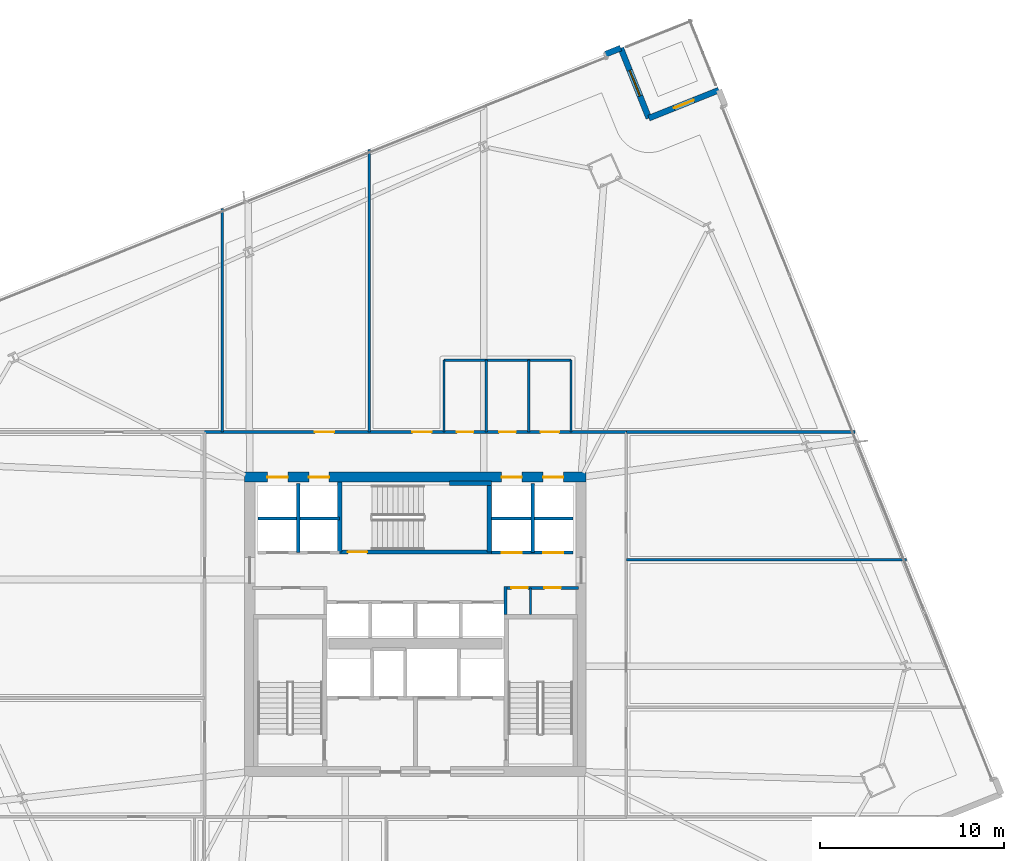
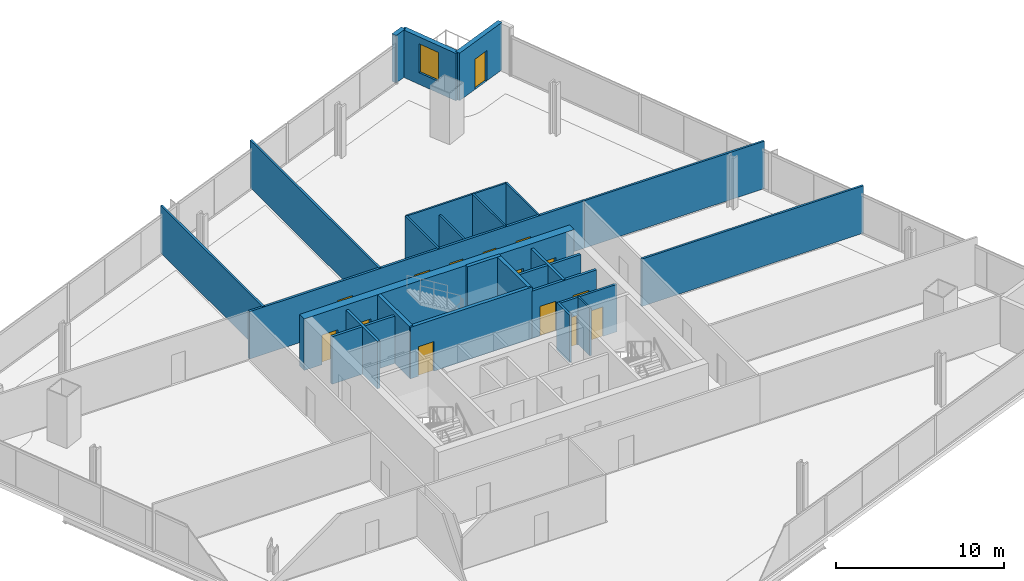
# One storey, part 26 of 33: 26 walls, 15 doors, 1 window, 16 openings.
"""IFC4 building model written with IfcOpenShell, lengths in metres."""

from ifc_helpers import new_model, si_unit, direction, frame, frame_2d, origin, place, context, subcontext, project, spatial, rectangle, extrude, material, layer, layer_set, type_object, element, fill, save


model = new_model("IFC4")

# Units and contexts
model_context = context("Model", 3, precision=1e-05, world=origin(), true_north=direction((0.0, 1.0)))
body_context = subcontext(model_context, "Body", "Model", "MODEL_VIEW")
ifc_project = project(units=[si_unit("LENGTHUNIT", "METRE"), si_unit("AREAUNIT", "SQUARE_METRE"), si_unit("VOLUMEUNIT", "CUBIC_METRE"), si_unit("PLANEANGLEUNIT", "RADIAN"), si_unit("MASSUNIT", "GRAM", prefix="KILO")], contexts=[model_context])

# Site, building, storey
site_placement = place(None, origin())
site = spatial("IfcSite", under=ifc_project, at=site_placement, CompositionType="ELEMENT")
building_placement = place(site_placement, origin())
building = spatial("IfcBuilding", under=site, at=building_placement, Name="Haldenkirk Collegiate Tower", CompositionType="ELEMENT")
storey_placement = place(building_placement, frame((0.0, 0.0, 101.699951171875)))
storey = spatial("IfcBuildingStorey", under=building, at=storey_placement, Name="L24", CompositionType="ELEMENT", Elevation=101.699951171875)

# Wall, openings, doors
ifc_material_1 = material(Name="Concrete f'c 70 MPa", Category="concrete")
ifc_layer_1 = layer(ifc_material_1, 0.550048828125)
ifc_layer_set_1 = layer_set([ifc_layer_1], Name="Concrete f'c 70 MPa")
wall_type_1 = type_object("IfcWallType", Name="WL-CORE-550", PredefinedType="SHEAR", material=ifc_layer_set_1)
wall_1_placement = place(storey_placement, frame((26.72509765625, 34.0, 0.0), z_axis=(0.0, 0.0, 1.0), x_axis=(1.0, 0.0, 0.0)))
wall_1 = element("IfcWall", 1, at=wall_1_placement, inside=storey, type_object=wall_type_1, Name="L24 central core shear wall N", PredefinedType="SHEAR", context=body_context, shape_type="SweptSolid", body=[
    extrude(rectangle(XDim=18.5498046875, YDim=0.550048828125, at=frame_2d((9.27490234375, 0.0))), origin(), (0.0, 0.0, 1.0), 3.75),
])
opening_1_placement = place(wall_1_placement, frame((1.239990234375, 0.0, 0.0)))
opening_1 = element("IfcOpeningElement", 2, at=opening_1_placement, cuts=wall_1, Name="Opening LD-11", PredefinedType="OPENING", context=body_context, shape_type="SweptSolid", body=[
    extrude(rectangle(XDim=1.10009765625, YDim=2.14990234375, at=frame_2d((0.550048828125, 1.074951171875))), frame((0.0, 0.284912109375, 0.0), z_axis=(0.0, -1.0, 0.0), x_axis=(1.0, 0.0, 0.0)), (0.0, 0.0, 1.0), 0.570068359375),
])
opening_2_placement = place(wall_1_placement, frame((3.489990234375, 0.0, 0.0)))
opening_2 = element("IfcOpeningElement", 3, at=opening_2_placement, cuts=wall_1, Name="Opening LD-11", PredefinedType="OPENING", context=body_context, shape_type="SweptSolid", body=[
    extrude(rectangle(XDim=1.10009765625, YDim=2.14990234375, at=frame_2d((0.550048828125, 1.074951171875))), frame((0.0, 0.284912109375, 0.0), z_axis=(0.0, -1.0, 0.0), x_axis=(1.0, 0.0, 0.0)), (0.0, 0.0, 1.0), 0.570068359375),
])
opening_3_placement = place(wall_1_placement, frame((13.9599609375, 0.0, 0.0)))
opening_3 = element("IfcOpeningElement", 4, at=opening_3_placement, cuts=wall_1, Name="Opening LD-11", PredefinedType="OPENING", context=body_context, shape_type="SweptSolid", body=[
    extrude(rectangle(XDim=1.10009765625, YDim=2.14990234375, at=frame_2d((0.550048828125, 1.074951171875))), frame((0.0, 0.284912109375, 0.0), z_axis=(0.0, -1.0, 0.0), x_axis=(1.0, 0.0, 0.0)), (0.0, 0.0, 1.0), 0.570068359375),
])
opening_4_placement = place(wall_1_placement, frame((16.2099609375, 0.0, 0.0)))
opening_4 = element("IfcOpeningElement", 5, at=opening_4_placement, cuts=wall_1, Name="Opening LD-11", PredefinedType="OPENING", context=body_context, shape_type="SweptSolid", body=[
    extrude(rectangle(XDim=1.10009765625, YDim=2.14990234375, at=frame_2d((0.550048828125, 1.074951171875))), frame((0.0, 0.284912109375, 0.0), z_axis=(0.0, -1.0, 0.0), x_axis=(1.0, 0.0, 0.0)), (0.0, 0.0, 1.0), 0.570068359375),
])
ifc_material_2 = material(Name="Brushed architectural stainless steel", Category="steel")
ifc_layer_2 = layer(ifc_material_2, 0.06005859375)
ifc_layer_set_2 = layer_set([ifc_layer_2], Name="Brushed architectural stainless steel")
door_type_1 = type_object("IfcDoorType", Name="LD-PASS-1100", OperationType="NOTDEFINED", PredefinedType="DOOR", material=ifc_layer_set_2)
door_1_placement = place(opening_1_placement, origin())
door_1 = element("IfcDoor", 6, at=door_1_placement, inside=storey, type_object=door_type_1, Name="L24 Elevator PL3 sliding landing door", OperationType="SLIDING_TO_LEFT", OverallHeight=2.14990234375, OverallWidth=1.10009765625, PredefinedType="DOOR", context=body_context, shape_type="SweptSolid", body=[
    extrude(rectangle(XDim=1.10009765625, YDim=2.14990234375, at=frame_2d((0.550048828125, 1.074951171875))), frame((0.0, 0.02490234375, 0.0), z_axis=(0.0, -1.0, 0.0), x_axis=(1.0, 0.0, 0.0)), (0.0, 0.0, 1.0), 0.050048828125),
])
fill(opening_1, door_1)
door_2_placement = place(opening_2_placement, origin())
door_2 = element("IfcDoor", 7, at=door_2_placement, inside=storey, type_object=door_type_1, Name="L24 Elevator PL4 sliding landing door", OperationType="SLIDING_TO_LEFT", OverallHeight=2.14990234375, OverallWidth=1.10009765625, PredefinedType="DOOR", context=body_context, shape_type="SweptSolid", body=[
    extrude(rectangle(XDim=1.10009765625, YDim=2.14990234375, at=frame_2d((0.550048828125, 1.074951171875))), frame((0.0, 0.02490234375, 0.0), z_axis=(0.0, -1.0, 0.0), x_axis=(1.0, 0.0, 0.0)), (0.0, 0.0, 1.0), 0.050048828125),
])
fill(opening_2, door_2)
door_3_placement = place(opening_3_placement, origin())
door_3 = element("IfcDoor", 8, at=door_3_placement, inside=storey, type_object=door_type_1, Name="L24 Elevator PM3 sliding landing door", OperationType="SLIDING_TO_LEFT", OverallHeight=2.14990234375, OverallWidth=1.10009765625, PredefinedType="DOOR", context=body_context, shape_type="SweptSolid", body=[
    extrude(rectangle(XDim=1.10009765625, YDim=2.14990234375, at=frame_2d((0.550048828125, 1.074951171875))), frame((0.0, 0.02490234375, 0.0), z_axis=(0.0, -1.0, 0.0), x_axis=(1.0, 0.0, 0.0)), (0.0, 0.0, 1.0), 0.050048828125),
])
fill(opening_3, door_3)
door_4_placement = place(opening_4_placement, origin())
door_4 = element("IfcDoor", 9, at=door_4_placement, inside=storey, type_object=door_type_1, Name="L24 Elevator PM4 sliding landing door", OperationType="SLIDING_TO_LEFT", OverallHeight=2.14990234375, OverallWidth=1.10009765625, PredefinedType="DOOR", context=body_context, shape_type="SweptSolid", body=[
    extrude(rectangle(XDim=1.10009765625, YDim=2.14990234375, at=frame_2d((0.550048828125, 1.074951171875))), frame((0.0, 0.02490234375, 0.0), z_axis=(0.0, -1.0, 0.0), x_axis=(1.0, 0.0, 0.0)), (0.0, 0.0, 1.0), 0.050048828125),
])
fill(opening_4, door_4)

# Wall, opening, door
ifc_material_3 = material(Name="Precast concrete f'c 40 MPa", Category="concrete")
ifc_layer_3 = layer(ifc_material_3, 0.320068359375)
ifc_layer_set_3 = layer_set([ifc_layer_3], Name="Precast concrete f'c 40 MPa")
wall_type_2 = type_object("IfcWallType", Name="WL-EXT-TWR-320", PredefinedType="STANDARD", material=ifc_layer_set_3)
wall_2_placement = place(storey_placement, frame((48.67822265625, 53.49365234375, 0.0), z_axis=(0.0, 0.0, 1.0), x_axis=(0.92816425287, 0.372170820584, 0.0)))
wall_2 = element("IfcWall", 10, at=wall_2_placement, inside=storey, type_object=wall_type_2, Name="L24 bronze precast notch wall 05", PredefinedType="STANDARD", context=body_context, shape_type="SweptSolid", body=[
    extrude(rectangle(XDim=4.099853515625, YDim=0.320068359375, at=frame_2d((2.0498046875, 0.0))), origin(), (0.0, 0.0, 1.0), 3.449951171875),
])
opening_5_placement = place(wall_2_placement, frame((1.47509765625, 0.0, 0.0)))
opening_5 = element("IfcOpeningElement", 11, at=opening_5_placement, cuts=wall_2, Name="Opening D-ST11", PredefinedType="OPENING", context=body_context, shape_type="SweptSolid", body=[
    extrude(rectangle(XDim=1.14990234375, YDim=2.199951171875, at=frame_2d((0.574951171875, 1.10009765625))), frame((0.0, 0.169921875, 0.0), z_axis=(0.0, -1.0, 0.0), x_axis=(1.0, 0.0, 0.0)), (0.0, 0.0, 1.0), 0.340087890625),
])
ifc_material_4 = material(Name="Anodised architectural bronze aluminium", Category="aluminium")
ifc_layer_4 = layer(ifc_material_4, 0.080078125)
ifc_layer_set_4 = layer_set([ifc_layer_4], Name="Anodised architectural bronze aluminium")
door_type_2 = type_object("IfcDoorType", Name="DR-EXT-STER-1150", OperationType="NOTDEFINED", PredefinedType="DOOR", material=ifc_layer_set_4)
door_5_placement = place(opening_5_placement, origin())
door_5 = element("IfcDoor", 12, at=door_5_placement, inside=storey, type_object=door_type_2, Name="L24 spiralling terrace door", OperationType="SINGLE_SWING_LEFT", OverallHeight=2.199951171875, OverallWidth=1.14990234375, PredefinedType="DOOR", context=body_context, shape_type="SweptSolid", body=[
    extrude(rectangle(XDim=1.14990234375, YDim=2.199951171875, at=frame_2d((0.574951171875, 1.10009765625))), frame((0.0, 0.02490234375, 0.0), z_axis=(0.0, -1.0, 0.0), x_axis=(1.0, 0.0, 0.0)), (0.0, 0.0, 1.0), 0.050048828125),
])
fill(opening_5, door_5)

# Wall, opening, window
wall_3_placement = place(storey_placement, frame((47.15234375, 57.299072265625, 0.0), z_axis=(0.0, 0.0, 1.0), x_axis=(0.372170820584, -0.92816425287, 0.0)))
wall_3 = element("IfcWall", 13, at=wall_3_placement, inside=storey, type_object=wall_type_2, Name="L24 bronze precast notch wall 06", PredefinedType="STANDARD", context=body_context, shape_type="SweptSolid", body=[
    extrude(rectangle(XDim=4.099853515625, YDim=0.320068359375, at=frame_2d((2.0498046875, 0.0))), origin(), (0.0, 0.0, 1.0), 3.449951171875),
])
opening_6_placement = place(wall_3_placement, frame((1.300048828125, 0.0, 0.85009765625)))
opening_6 = element("IfcOpeningElement", 14, at=opening_6_placement, cuts=wall_3, Name="Opening W-04", PredefinedType="OPENING", context=body_context, shape_type="SweptSolid", body=[
    extrude(rectangle(XDim=1.5, YDim=2.10009765625, at=frame_2d((0.75, 1.050048828125))), frame((0.0, 0.169921875, 0.0), z_axis=(0.0, -1.0, 0.0), x_axis=(1.0, 0.0, 0.0)), (0.0, 0.0, 1.0), 0.340087890625),
])
ifc_material_5 = material(Name="Low-E argon triple insulating glass", Category="glass")
ifc_layer_5 = layer(ifc_material_5, 0.090087890625)
ifc_layer_set_5 = layer_set([ifc_layer_5], Name="Low-E argon triple insulating glass")
window_type = type_object("IfcWindowType", Name="WN-Z2-1500X2100", PartitioningType="SINGLE_PANEL", PredefinedType="WINDOW", material=ifc_layer_set_5)
window_placement = place(opening_6_placement, origin())
window = element("IfcWindow", 15, at=window_placement, inside=storey, type_object=window_type, Name="L24 precast-frame academic window 5", OverallHeight=2.10009765625, OverallWidth=1.5, PartitioningType="SINGLE_PANEL", PredefinedType="WINDOW", context=body_context, shape_type="SweptSolid", body=[
    extrude(rectangle(XDim=1.5, YDim=2.10009765625, at=frame_2d((0.75, 1.050048828125))), frame((0.0, 0.030029296875, 0.0), z_axis=(0.0, -1.0, 0.0), x_axis=(1.0, 0.0, 0.0)), (0.0, 0.0, 1.0), 0.06005859375),
])
fill(opening_6, window)

# Wall
wall_4_placement = place(storey_placement, frame((46.31689453125, 56.964111328125, 0.0), z_axis=(0.0, 0.0, 1.0), x_axis=(0.928177092072, 0.372138799042, 0.0)))
element("IfcWall", 16, at=wall_4_placement, inside=storey, type_object=wall_type_2, Name="L24 precast corner pier NR", PredefinedType="STANDARD", context=body_context, shape_type="SweptSolid", body=[
    extrude(rectangle(XDim=0.900146484375, YDim=0.320068359375, at=frame_2d((0.4501953125, 0.0))), origin(), (0.0, 0.0, 1.0), 3.449951171875),
])

# Wall, openings, doors
ifc_material_6 = material(Name="Acoustic fire-rated gypsum partition", Category="concrete")
ifc_layer_6 = layer(ifc_material_6, 0.159912109375)
ifc_layer_set_6 = layer_set([ifc_layer_6], Name="Acoustic fire-rated gypsum partition")
wall_type_3 = type_object("IfcWallType", Name="WL-INT-CORR-160", PredefinedType="PARTITIONING", material=ifc_layer_set_6)
wall_5_placement = place(storey_placement, frame((40.800048828125, 27.97998046875, 0.0), z_axis=(0.0, 0.0, 1.0), x_axis=(1.0, 0.0, 0.0)))
wall_5 = element("IfcWall", 17, at=wall_5_placement, inside=storey, type_object=wall_type_3, Name="L24 interior partition IW-L24-VCSE-N", PredefinedType="PARTITIONING", context=body_context, shape_type="SweptSolid", body=[
    extrude(rectangle(XDim=4.050048828125, YDim=0.159912109375, at=frame_2d((2.02490234375, 0.0))), origin(), (0.0, 0.0, 1.0), 3.449951171875),
])
opening_7_placement = place(wall_5_placement, frame((0.407470703125, 0.0, 0.0)))
opening_7 = element("IfcOpeningElement", 18, at=opening_7_placement, cuts=wall_5, Name="Opening D-11", PredefinedType="OPENING", context=body_context, shape_type="SweptSolid", body=[
    extrude(rectangle(XDim=0.89990234375, YDim=2.14990234375, at=frame_2d((0.449951171875, 1.074951171875))), frame((0.0, 0.08984375, 0.0), z_axis=(0.0, -1.0, 0.0), x_axis=(1.0, 0.0, 0.0)), (0.0, 0.0, 1.0), 0.179931640625),
])
opening_8_placement = place(wall_5_placement, frame((2.199951171875, 0.0, 0.0)))
opening_8 = element("IfcOpeningElement", 19, at=opening_8_placement, cuts=wall_5, Name="Opening D-11", PredefinedType="OPENING", context=body_context, shape_type="SweptSolid", body=[
    extrude(rectangle(XDim=0.89990234375, YDim=2.14990234375, at=frame_2d((0.449951171875, 1.074951171875))), frame((0.0, 0.08984375, 0.0), z_axis=(0.0, -1.0, 0.0), x_axis=(1.0, 0.0, 0.0)), (0.0, 0.0, 1.0), 0.179931640625),
])
ifc_material_7 = material(Name="Solid-core architectural oak fire door", Category="wood")
ifc_layer_7 = layer(ifc_material_7, 0.06005859375)
ifc_layer_set_7 = layer_set([ifc_layer_7], Name="Solid-core architectural oak fire door")
door_type_3 = type_object("IfcDoorType", Name="DR-INT-FD60-900", OperationType="NOTDEFINED", PredefinedType="DOOR", material=ifc_layer_set_7)
door_6_placement = place(opening_7_placement, origin())
door_6 = element("IfcDoor", 20, at=door_6_placement, inside=storey, type_object=door_type_3, Name="L24 core copy room door", OperationType="SINGLE_SWING_LEFT", OverallHeight=2.14990234375, OverallWidth=0.89990234375, PredefinedType="DOOR", context=body_context, shape_type="SweptSolid", body=[
    extrude(rectangle(XDim=0.89990234375, YDim=2.14990234375, at=frame_2d((0.449951171875, 1.074951171875))), frame((0.0, 0.02490234375, 0.0), z_axis=(0.0, -1.0, 0.0), x_axis=(1.0, 0.0, 0.0)), (0.0, 0.0, 1.0), 0.050048828125),
])
fill(opening_7, door_6)
door_7_placement = place(opening_8_placement, origin())
door_7 = element("IfcDoor", 21, at=door_7_placement, inside=storey, type_object=door_type_3, Name="L24 core records store door", OperationType="SINGLE_SWING_RIGHT", OverallHeight=2.14990234375, OverallWidth=0.89990234375, PredefinedType="DOOR", context=body_context, shape_type="SweptSolid", body=[
    extrude(rectangle(XDim=0.89990234375, YDim=2.14990234375, at=frame_2d((0.449951171875, 1.074951171875))), frame((0.0, 0.02490234375, 0.0), z_axis=(0.0, -1.0, 0.0), x_axis=(1.0, 0.0, 0.0)), (0.0, 0.0, 1.0), 0.050048828125),
])
fill(opening_8, door_7)

# Wall
wall_6_placement = place(storey_placement, frame((40.8798828125, 26.5400390625, 0.0), z_axis=(0.0, 0.0, 1.0), x_axis=(0.0, 1.0, 0.0)))
element("IfcWall", 22, at=wall_6_placement, inside=storey, type_object=wall_type_3, Name="L24 interior partition IW-L24-VCSE-W", PredefinedType="PARTITIONING", context=body_context, shape_type="SweptSolid", body=[
    extrude(rectangle(XDim=1.510009765625, YDim=0.159912109375, at=frame_2d((0.7548828125, 0.0))), origin(), (0.0, 0.0, 1.0), 3.449951171875),
])

# Wall, openings, doors
wall_7_placement = place(storey_placement, frame((24.5, 36.449951171875, 0.0), z_axis=(0.0, 0.0, 1.0), x_axis=(1.0, 0.0, 0.0)))
wall_7 = element("IfcWall", 23, at=wall_7_placement, inside=storey, type_object=wall_type_3, Name="L24 interior partition IW-L24-CN", PredefinedType="PARTITIONING", context=body_context, shape_type="SweptSolid", body=[
    extrude(rectangle(XDim=23.0, YDim=0.159912109375, at=frame_2d((11.5, 0.0))), origin(), (0.0, 0.0, 1.0), 3.449951171875),
])
opening_9_placement = place(wall_7_placement, frame((13.75, 0.0, 0.0)))
opening_9 = element("IfcOpeningElement", 24, at=opening_9_placement, cuts=wall_7, Name="Opening D-13", PredefinedType="OPENING", context=body_context, shape_type="SweptSolid", body=[
    extrude(rectangle(XDim=0.89990234375, YDim=2.14990234375, at=frame_2d((0.449951171875, 1.074951171875))), frame((0.0, 0.08984375, 0.0), z_axis=(0.0, -1.0, 0.0), x_axis=(1.0, 0.0, 0.0)), (0.0, 0.0, 1.0), 0.179931640625),
])
opening_10_placement = place(wall_7_placement, frame((16.050048828125, 0.0, 0.0)))
opening_10 = element("IfcOpeningElement", 25, at=opening_10_placement, cuts=wall_7, Name="Opening D-13", PredefinedType="OPENING", context=body_context, shape_type="SweptSolid", body=[
    extrude(rectangle(XDim=0.89990234375, YDim=2.14990234375, at=frame_2d((0.449951171875, 1.074951171875))), frame((0.0, 0.08984375, 0.0), z_axis=(0.0, -1.0, 0.0), x_axis=(1.0, 0.0, 0.0)), (0.0, 0.0, 1.0), 0.179931640625),
])
opening_11_placement = place(wall_7_placement, frame((18.300048828125, 0.0, 0.0)))
opening_11 = element("IfcOpeningElement", 26, at=opening_11_placement, cuts=wall_7, Name="Opening D-14", PredefinedType="OPENING", context=body_context, shape_type="SweptSolid", body=[
    extrude(rectangle(XDim=1.0, YDim=2.14990234375, at=frame_2d((0.5, 1.074951171875))), frame((0.0, 0.08984375, 0.0), z_axis=(0.0, -1.0, 0.0), x_axis=(1.0, 0.0, 0.0)), (0.0, 0.0, 1.0), 0.179931640625),
])
opening_12_placement = place(wall_7_placement, frame((6.034912109375, 0.0, 0.0)))
opening_12 = element("IfcOpeningElement", 27, at=opening_12_placement, cuts=wall_7, Name="Opening D-09", PredefinedType="OPENING", context=body_context, shape_type="SweptSolid", body=[
    extrude(rectangle(XDim=1.050048828125, YDim=2.14990234375, at=frame_2d((0.52490234375, 1.074951171875))), frame((0.0, 0.08984375, 0.0), z_axis=(0.0, -1.0, 0.0), x_axis=(1.0, 0.0, 0.0)), (0.0, 0.0, 1.0), 0.179931640625),
])
opening_13_placement = place(wall_7_placement, frame((11.3349609375, 0.0, 0.0)))
opening_13 = element("IfcOpeningElement", 28, at=opening_13_placement, cuts=wall_7, Name="Opening D-09", PredefinedType="OPENING", context=body_context, shape_type="SweptSolid", body=[
    extrude(rectangle(XDim=1.050048828125, YDim=2.14990234375, at=frame_2d((0.52490234375, 1.074951171875))), frame((0.0, 0.08984375, 0.0), z_axis=(0.0, -1.0, 0.0), x_axis=(1.0, 0.0, 0.0)), (0.0, 0.0, 1.0), 0.179931640625),
])
ifc_layer_8 = layer(ifc_material_7, 0.06005859375)
ifc_layer_set_8 = layer_set([ifc_layer_8], Name="Solid-core architectural oak fire door")
door_type_4 = type_object("IfcDoorType", Name="DR-INT-ACC-1000", OperationType="NOTDEFINED", PredefinedType="DOOR", material=ifc_layer_set_8)
door_8_placement = place(opening_11_placement, origin())
door_8 = element("IfcDoor", 29, at=door_8_placement, inside=storey, type_object=door_type_4, Name="L24 Accessible WC door", OperationType="SINGLE_SWING_LEFT", OverallHeight=2.14990234375, OverallWidth=1.0, PredefinedType="DOOR", context=body_context, shape_type="SweptSolid", body=[
    extrude(rectangle(XDim=1.0, YDim=2.14990234375, at=frame_2d((0.5, 1.074951171875))), frame((0.0, 0.02490234375, 0.0), z_axis=(0.0, -1.0, 0.0), x_axis=(1.0, 0.0, 0.0)), (0.0, 0.0, 1.0), 0.050048828125),
])
fill(opening_11, door_8)
ifc_layer_9 = layer(ifc_material_7, 0.06005859375)
ifc_layer_set_9 = layer_set([ifc_layer_9], Name="Solid-core architectural oak fire door")
door_type_5 = type_object("IfcDoorType", Name="DR-INT-FD60-1050", OperationType="NOTDEFINED", PredefinedType="DOOR", material=ifc_layer_set_9)
door_9_placement = place(opening_12_placement, origin())
door_9 = element("IfcDoor", 30, at=door_9_placement, inside=storey, type_object=door_type_5, Name="L24 Departmental Office 4 door", OperationType="SINGLE_SWING_LEFT", OverallHeight=2.14990234375, OverallWidth=1.050048828125, PredefinedType="DOOR", context=body_context, shape_type="SweptSolid", body=[
    extrude(rectangle(XDim=1.050048828125, YDim=2.14990234375, at=frame_2d((0.52490234375, 1.074951171875))), frame((0.0, 0.02490234375, 0.0), z_axis=(0.0, -1.0, 0.0), x_axis=(1.0, 0.0, 0.0)), (0.0, 0.0, 1.0), 0.050048828125),
])
fill(opening_12, door_9)
door_10_placement = place(opening_13_placement, origin())
door_10 = element("IfcDoor", 31, at=door_10_placement, inside=storey, type_object=door_type_5, Name="L24 Visiting Scholar Office 5 door", OperationType="SINGLE_SWING_RIGHT", OverallHeight=2.14990234375, OverallWidth=1.050048828125, PredefinedType="DOOR", context=body_context, shape_type="SweptSolid", body=[
    extrude(rectangle(XDim=1.050048828125, YDim=2.14990234375, at=frame_2d((0.52490234375, 1.074951171875))), frame((0.0, 0.02490234375, 0.0), z_axis=(0.0, -1.0, 0.0), x_axis=(1.0, 0.0, 0.0)), (0.0, 0.0, 1.0), 0.050048828125),
])
fill(opening_13, door_10)
ifc_layer_10 = layer(ifc_material_7, 0.06005859375)
ifc_layer_set_10 = layer_set([ifc_layer_10], Name="Solid-core architectural oak fire door")
door_type_6 = type_object("IfcDoorType", Name="DR-INT-STD-900", OperationType="NOTDEFINED", PredefinedType="DOOR", material=ifc_layer_set_10)
door_11_placement = place(opening_9_placement, origin())
door_11 = element("IfcDoor", 32, at=door_11_placement, inside=storey, type_object=door_type_6, Name="L24 Male WC door", OperationType="SINGLE_SWING_LEFT", OverallHeight=2.14990234375, OverallWidth=0.89990234375, PredefinedType="DOOR", context=body_context, shape_type="SweptSolid", body=[
    extrude(rectangle(XDim=0.89990234375, YDim=2.14990234375, at=frame_2d((0.449951171875, 1.074951171875))), frame((0.0, 0.02490234375, 0.0), z_axis=(0.0, -1.0, 0.0), x_axis=(1.0, 0.0, 0.0)), (0.0, 0.0, 1.0), 0.050048828125),
])
fill(opening_9, door_11)
door_12_placement = place(opening_10_placement, origin())
door_12 = element("IfcDoor", 33, at=door_12_placement, inside=storey, type_object=door_type_6, Name="L24 Female WC door", OperationType="SINGLE_SWING_RIGHT", OverallHeight=2.14990234375, OverallWidth=0.89990234375, PredefinedType="DOOR", context=body_context, shape_type="SweptSolid", body=[
    extrude(rectangle(XDim=0.89990234375, YDim=2.14990234375, at=frame_2d((0.449951171875, 1.074951171875))), frame((0.0, 0.02490234375, 0.0), z_axis=(0.0, -1.0, 0.0), x_axis=(1.0, 0.0, 0.0)), (0.0, 0.0, 1.0), 0.050048828125),
])
fill(opening_10, door_12)

# Walls
ifc_layer_11 = layer(ifc_material_6, 0.139892578125)
ifc_layer_set_11 = layer_set([ifc_layer_11], Name="Acoustic fire-rated gypsum partition")
wall_type_4 = type_object("IfcWallType", Name="WL-INT-DIV-140", PredefinedType="PARTITIONING", material=ifc_layer_set_11)
wall_8_placement = place(storey_placement, frame((47.449951171875, 36.449951171875, 0.0), z_axis=(0.0, 0.0, 1.0), x_axis=(1.0, 0.0, 0.0)))
element("IfcWall", 34, at=wall_8_placement, inside=storey, type_object=wall_type_4, Name="L24 interior partition IW-L24-BEN", PredefinedType="PARTITIONING", context=body_context, shape_type="SweptSolid", body=[
    extrude(rectangle(XDim=12.436767578125, YDim=0.139892578125, at=frame_2d((6.21826171875, 0.0))), origin(), (0.0, 0.0, 1.0), 3.449951171875),
])
wall_9_placement = place(storey_placement, frame((25.5, 36.449951171875, 0.0), z_axis=(0.0, 0.0, 1.0), x_axis=(0.0, 1.0, 0.0)))
element("IfcWall", 35, at=wall_9_placement, inside=storey, type_object=wall_type_4, Name="L24 interior partition IW-L24-RN1", PredefinedType="PARTITIONING", context=body_context, shape_type="SweptSolid", body=[
    extrude(rectangle(XDim=12.123779296875, YDim=0.139892578125, at=frame_2d((6.06201171875, 0.0))), origin(), (0.0, 0.0, 1.0), 3.449951171875),
])
wall_10_placement = place(storey_placement, frame((33.5, 36.449951171875, 0.0), z_axis=(0.0, 0.0, 1.0), x_axis=(0.0, 1.0, 0.0)))
element("IfcWall", 36, at=wall_10_placement, inside=storey, type_object=wall_type_4, Name="L24 interior partition IW-L24-RN2", PredefinedType="PARTITIONING", context=body_context, shape_type="SweptSolid", body=[
    extrude(rectangle(XDim=15.331787109375, YDim=0.139892578125, at=frame_2d((7.666015625, 0.0))), origin(), (0.0, 0.0, 1.0), 3.449951171875),
])
wall_11_placement = place(storey_placement, frame((47.449951171875, 29.5, 0.0), z_axis=(0.0, 0.0, 1.0), x_axis=(1.0, 0.0, 0.0)))
element("IfcWall", 37, at=wall_11_placement, inside=storey, type_object=wall_type_4, Name="L24 interior partition IW-L24-RE2", PredefinedType="PARTITIONING", context=body_context, shape_type="SweptSolid", body=[
    extrude(rectangle(XDim=15.2236328125, YDim=0.139892578125, at=frame_2d((7.61181640625, 0.0))), origin(), (0.0, 0.0, 1.0), 3.449951171875),
])
ifc_material_8 = material(Name="Fire-rated gypsum shaftboard assembly", Category="concrete")
ifc_layer_12 = layer(ifc_material_8, 0.179931640625)
ifc_layer_set_12 = layer_set([ifc_layer_12], Name="Fire-rated gypsum shaftboard assembly")
wall_type_5 = type_object("IfcWallType", Name="WL-INT-SHAFT-180", PredefinedType="PARTITIONING", material=ifc_layer_set_12)
wall_12_placement = place(storey_placement, frame((27.449951171875, 31.75, 0.0), z_axis=(0.0, 0.0, 1.0), x_axis=(1.0, 0.0, 0.0)))
element("IfcWall", 38, at=wall_12_placement, inside=storey, type_object=wall_type_5, Name="L24 interior partition IW-L24-PLM", PredefinedType="PARTITIONING", context=body_context, shape_type="SweptSolid", body=[
    extrude(rectangle(XDim=4.429931640625, YDim=0.179931640625, at=frame_2d((2.21484375, 0.0))), origin(), (0.0, 0.0, 1.0), 3.449951171875),
])
wall_13_placement = place(storey_placement, frame((29.6298828125, 29.89990234375, 0.0), z_axis=(0.0, 0.0, 1.0), x_axis=(0.0, 1.0, 0.0)))
element("IfcWall", 39, at=wall_13_placement, inside=storey, type_object=wall_type_5, Name="L24 interior partition IW-L24-PLV", PredefinedType="PARTITIONING", context=body_context, shape_type="SweptSolid", body=[
    extrude(rectangle(XDim=3.75, YDim=0.179931640625, at=frame_2d((1.875, 0.0))), origin(), (0.0, 0.0, 1.0), 3.449951171875),
])

# Wall, openings, doors
wall_14_placement = place(storey_placement, frame((40.1201171875, 29.89990234375, 0.0), z_axis=(0.0, 0.0, 1.0), x_axis=(1.0, 0.0, 0.0)))
wall_14 = element("IfcWall", 40, at=wall_14_placement, inside=storey, type_object=wall_type_5, Name="L24 interior partition IW-L24-PMS", PredefinedType="PARTITIONING", context=body_context, shape_type="SweptSolid", body=[
    extrude(rectangle(XDim=4.429931640625, YDim=0.179931640625, at=frame_2d((2.21484375, 0.0))), origin(), (0.0, 0.0, 1.0), 3.449951171875),
])
opening_14_placement = place(wall_14_placement, frame((0.56494140625, 0.0, 0.0)))
opening_14 = element("IfcOpeningElement", 41, at=opening_14_placement, cuts=wall_14, Name="Opening LD-11", PredefinedType="OPENING", context=body_context, shape_type="SweptSolid", body=[
    extrude(rectangle(XDim=1.10009765625, YDim=2.14990234375, at=frame_2d((0.550048828125, 1.074951171875))), frame((0.0, 0.099853515625, 0.0), z_axis=(0.0, -1.0, 0.0), x_axis=(1.0, 0.0, 0.0)), (0.0, 0.0, 1.0), 0.199951171875),
])
opening_15_placement = place(wall_14_placement, frame((2.81494140625, 0.0, 0.0)))
opening_15 = element("IfcOpeningElement", 42, at=opening_15_placement, cuts=wall_14, Name="Opening LD-11", PredefinedType="OPENING", context=body_context, shape_type="SweptSolid", body=[
    extrude(rectangle(XDim=1.10009765625, YDim=2.14990234375, at=frame_2d((0.550048828125, 1.074951171875))), frame((0.0, 0.099853515625, 0.0), z_axis=(0.0, -1.0, 0.0), x_axis=(1.0, 0.0, 0.0)), (0.0, 0.0, 1.0), 0.199951171875),
])
door_13_placement = place(opening_14_placement, origin())
door_13 = element("IfcDoor", 43, at=door_13_placement, inside=storey, type_object=door_type_1, Name="L24 Elevator PM1 sliding landing door", OperationType="SLIDING_TO_LEFT", OverallHeight=2.14990234375, OverallWidth=1.10009765625, PredefinedType="DOOR", context=body_context, shape_type="SweptSolid", body=[
    extrude(rectangle(XDim=1.10009765625, YDim=2.14990234375, at=frame_2d((0.550048828125, 1.074951171875))), frame((0.0, 0.02490234375, 0.0), z_axis=(0.0, -1.0, 0.0), x_axis=(1.0, 0.0, 0.0)), (0.0, 0.0, 1.0), 0.050048828125),
])
fill(opening_14, door_13)
door_14_placement = place(opening_15_placement, origin())
door_14 = element("IfcDoor", 44, at=door_14_placement, inside=storey, type_object=door_type_1, Name="L24 Elevator PM2 sliding landing door", OperationType="SLIDING_TO_LEFT", OverallHeight=2.14990234375, OverallWidth=1.10009765625, PredefinedType="DOOR", context=body_context, shape_type="SweptSolid", body=[
    extrude(rectangle(XDim=1.10009765625, YDim=2.14990234375, at=frame_2d((0.550048828125, 1.074951171875))), frame((0.0, 0.02490234375, 0.0), z_axis=(0.0, -1.0, 0.0), x_axis=(1.0, 0.0, 0.0)), (0.0, 0.0, 1.0), 0.050048828125),
])
fill(opening_15, door_14)

# Walls
wall_15_placement = place(storey_placement, frame((40.1201171875, 31.75, 0.0), z_axis=(0.0, 0.0, 1.0), x_axis=(1.0, 0.0, 0.0)))
element("IfcWall", 45, at=wall_15_placement, inside=storey, type_object=wall_type_5, Name="L24 interior partition IW-L24-PMM", PredefinedType="PARTITIONING", context=body_context, shape_type="SweptSolid", body=[
    extrude(rectangle(XDim=4.429931640625, YDim=0.179931640625, at=frame_2d((2.21484375, 0.0))), origin(), (0.0, 0.0, 1.0), 3.449951171875),
])
wall_16_placement = place(storey_placement, frame((42.3701171875, 29.89990234375, 0.0), z_axis=(0.0, 0.0, 1.0), x_axis=(0.0, 1.0, 0.0)))
element("IfcWall", 46, at=wall_16_placement, inside=storey, type_object=wall_type_5, Name="L24 interior partition IW-L24-PMV", PredefinedType="PARTITIONING", context=body_context, shape_type="SweptSolid", body=[
    extrude(rectangle(XDim=3.75, YDim=0.179931640625, at=frame_2d((1.875, 0.0))), origin(), (0.0, 0.0, 1.0), 3.449951171875),
])
ifc_layer_13 = layer(ifc_material_6, 0.1201171875)
ifc_layer_set_13 = layer_set([ifc_layer_13], Name="Acoustic fire-rated gypsum partition")
wall_type_6 = type_object("IfcWallType", Name="WL-INT-WET-120", PredefinedType="PARTITIONING", material=ifc_layer_set_13)
wall_17_placement = place(storey_placement, frame((42.25, 26.5400390625, 0.0), z_axis=(0.0, 0.0, 1.0), x_axis=(0.0, 1.0, 0.0)))
element("IfcWall", 47, at=wall_17_placement, inside=storey, type_object=wall_type_6, Name="L24 interior partition IW-L24-VCSE-M", PredefinedType="PARTITIONING", context=body_context, shape_type="SweptSolid", body=[
    extrude(rectangle(XDim=1.43994140625, YDim=0.1201171875, at=frame_2d((0.719970703125, 0.0))), origin(), (0.0, 0.0, 1.0), 3.449951171875),
])
wall_18_placement = place(storey_placement, frame((37.550048828125, 36.449951171875, 0.0), z_axis=(0.0, 0.0, 1.0), x_axis=(0.0, 1.0, 0.0)))
element("IfcWall", 48, at=wall_18_placement, inside=storey, type_object=wall_type_6, Name="L24 interior partition IW-L24-WCW", PredefinedType="PARTITIONING", context=body_context, shape_type="SweptSolid", body=[
    extrude(rectangle(XDim=3.900146484375, YDim=0.1201171875, at=frame_2d((1.9501953125, 0.0))), origin(), (0.0, 0.0, 1.0), 3.449951171875),
])
wall_19_placement = place(storey_placement, frame((39.85009765625, 36.449951171875, 0.0), z_axis=(0.0, 0.0, 1.0), x_axis=(0.0, 1.0, 0.0)))
element("IfcWall", 49, at=wall_19_placement, inside=storey, type_object=wall_type_6, Name="L24 interior partition IW-L24-WC1", PredefinedType="PARTITIONING", context=body_context, shape_type="SweptSolid", body=[
    extrude(rectangle(XDim=3.900146484375, YDim=0.1201171875, at=frame_2d((1.9501953125, 0.0))), origin(), (0.0, 0.0, 1.0), 2.7490234375),
])
for number, where, z_axis, x_axis, name in (
    (50, (42.14990234375, 36.449951171875, 0.0), (0.0, 0.0, 1.0), (0.0, 1.0, 0.0), "L24 interior partition IW-L24-WC2"),
    (51, (44.449951171875, 36.449951171875, 0.0), (0.0, 0.0, 1.0), (0.0, 1.0, 0.0), "L24 interior partition IW-L24-WCE"),
):
    element("IfcWall", number, at=place(storey_placement, frame(where, z_axis=z_axis, x_axis=x_axis)), inside=storey, type_object=wall_type_6, Name=name, PredefinedType="PARTITIONING", context=body_context, shape_type="SweptSolid", body=[
        extrude(rectangle(XDim=3.900146484375, YDim=0.1201171875, at=frame_2d((1.9501953125, 0.0))), origin(), (0.0, 0.0, 1.0), 3.449951171875),
    ])
wall_20_placement = place(storey_placement, frame((37.550048828125, 40.35009765625, 0.0), z_axis=(0.0, 0.0, 1.0), x_axis=(1.0, 0.0, 0.0)))
element("IfcWall", 52, at=wall_20_placement, inside=storey, type_object=wall_type_6, Name="L24 interior partition IW-L24-WCB", PredefinedType="PARTITIONING", context=body_context, shape_type="SweptSolid", body=[
    extrude(rectangle(XDim=6.89990234375, YDim=0.1201171875, at=frame_2d((3.449951171875, 0.0))), origin(), (0.0, 0.0, 1.0), 3.449951171875),
])

# Wall, opening, door
ifc_material_9 = material(Name="Concrete f'c 55 MPa", Category="concrete")
ifc_layer_14 = layer(ifc_material_9, 0.239990234375)
ifc_layer_set_14 = layer_set([ifc_layer_14], Name="Concrete f'c 55 MPa")
wall_type_7 = type_object("IfcWallType", Name="WL-SHAFT-240", PredefinedType="SHEAR", material=ifc_layer_set_14)
wall_21_placement = place(storey_placement, frame((31.760009765625, 29.929931640625, 0.0), z_axis=(0.0, 0.0, 1.0), x_axis=(1.0, 0.0, 0.0)))
wall_21 = element("IfcWall", 53, at=wall_21_placement, inside=storey, type_object=wall_type_7, Name="L24 stair shaft shear wall SW-L24-ST3S", PredefinedType="SHEAR", context=body_context, shape_type="SweptSolid", body=[
    extrude(rectangle(XDim=8.3798828125, YDim=0.239990234375, at=frame_2d((4.18994140625, 0.0))), origin(), (0.0, 0.0, 1.0), 3.75),
])
opening_16_placement = place(wall_21_placement, frame((0.56494140625, 0.0, 0.0)))
opening_16 = element("IfcOpeningElement", 54, at=opening_16_placement, cuts=wall_21, Name="Opening D-01", PredefinedType="OPENING", context=body_context, shape_type="SweptSolid", body=[
    extrude(rectangle(XDim=1.050048828125, YDim=2.14990234375, at=frame_2d((0.52490234375, 1.074951171875))), frame((0.0, 0.1298828125, 0.0), z_axis=(0.0, -1.0, 0.0), x_axis=(1.0, 0.0, 0.0)), (0.0, 0.0, 1.0), 0.260009765625),
])
ifc_material_10 = material(Name="Galvanized fire-rated hollow steel door", Category="steel")
ifc_layer_15 = layer(ifc_material_10, 0.06005859375)
ifc_layer_set_15 = layer_set([ifc_layer_15], Name="Galvanized fire-rated hollow steel door")
door_type_7 = type_object("IfcDoorType", Name="DR-STAIR-FD90-1050", OperationType="NOTDEFINED", PredefinedType="DOOR", material=ifc_layer_set_15)
door_15_placement = place(opening_16_placement, origin())
door_15 = element("IfcDoor", 55, at=door_15_placement, inside=storey, type_object=door_type_7, Name="L24 lift lobby Stair 3 door", OperationType="SINGLE_SWING_LEFT", OverallHeight=2.14990234375, OverallWidth=1.050048828125, PredefinedType="DOOR", context=body_context, shape_type="SweptSolid", body=[
    extrude(rectangle(XDim=1.050048828125, YDim=2.14990234375, at=frame_2d((0.52490234375, 1.074951171875))), frame((0.0, 0.02490234375, 0.0), z_axis=(0.0, -1.0, 0.0), x_axis=(1.0, 0.0, 0.0)), (0.0, 0.0, 1.0), 0.050048828125),
])
fill(opening_16, door_15)

# Walls
wall_22_placement = place(storey_placement, frame((31.8798828125, 29.929931640625, 0.0), z_axis=(0.0, 0.0, 1.0), x_axis=(0.0, 1.0, 0.0)))
element("IfcWall", 56, at=wall_22_placement, inside=storey, type_object=wall_type_7, Name="L24 stair shaft shear wall SW-L24-ST3W", PredefinedType="SHEAR", context=body_context, shape_type="SweptSolid", body=[
    extrude(rectangle(XDim=3.7900390625, YDim=0.239990234375, at=frame_2d((1.89501953125, 0.0))), origin(), (0.0, 0.0, 1.0), 3.75),
])
wall_23_placement = place(storey_placement, frame((40.02001953125, 29.929931640625, 0.0), z_axis=(0.0, 0.0, 1.0), x_axis=(0.0, 1.0, 0.0)))
element("IfcWall", 57, at=wall_23_placement, inside=storey, type_object=wall_type_7, Name="L24 stair shaft shear wall SW-L24-ST3E", PredefinedType="SHEAR", context=body_context, shape_type="SweptSolid", body=[
    extrude(rectangle(XDim=3.85009765625, YDim=0.239990234375, at=frame_2d((1.925048828125, 0.0))), origin(), (0.0, 0.0, 1.0), 3.75),
])
wall_24_placement = place(storey_placement, frame((37.85009765625, 33.659912109375, 0.0), z_axis=(0.0, 0.0, 1.0), x_axis=(1.0, 0.0, 0.0)))
element("IfcWall", 58, at=wall_24_placement, inside=storey, type_object=wall_type_7, Name="L24 stair shaft shear wall SW-L24-ST3N", PredefinedType="SHEAR", context=body_context, shape_type="SweptSolid", body=[
    extrude(rectangle(XDim=2.289794921875, YDim=0.239990234375, at=frame_2d((1.14501953125, 0.0))), origin(), (0.0, 0.0, 1.0), 3.75),
])

save(model, "model.ifc")
